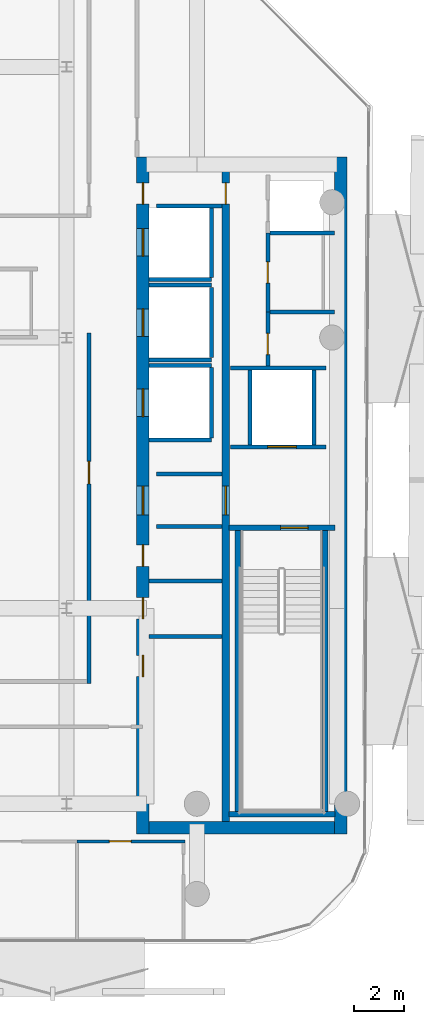
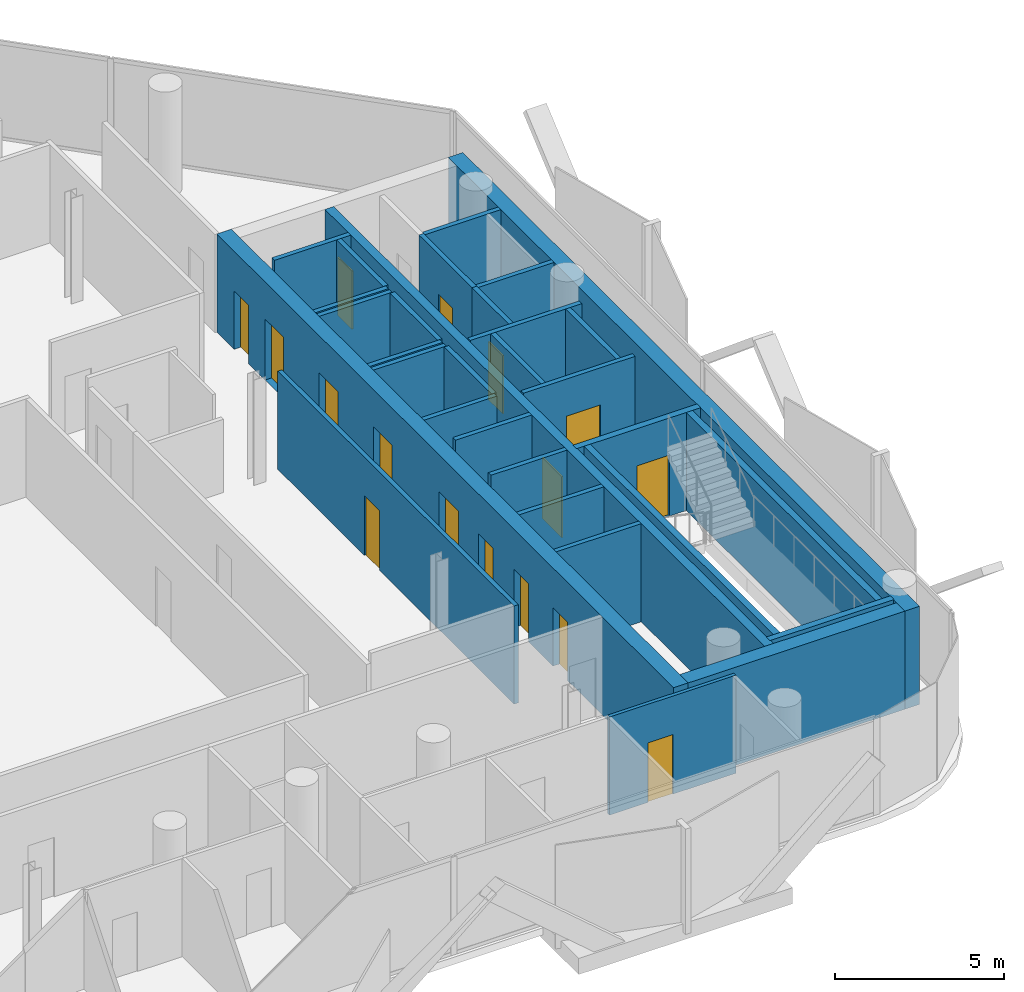
# One storey, part 6 of 17: 31 walls, 16 doors, 16 openings.
"""IFC4 building model written with IfcOpenShell, lengths in metres."""

import ifcopenshell
import ifcopenshell.guid

model = None  # the IFC model being written
_history = None  # IfcOwnerHistory: only IFC2X3 demands one
_inside = {}  # id of a spatial element -> (the spatial element, [elements in it])
_under = {}  # id of a project, library or spatial element -> (it, [spatial elements below it])
_declared = {}  # id of a project -> (the project, [libraries it declares])
_typed = {}  # id of a type object -> (the type object, [elements of that type])
_made_of = {}  # id of a material, layer set ... -> (it, [elements and type objects made of it])


def new_model(schema):
    """Start an empty IFC model of exactly this schema.

    Asked for "IFC4X3", IfcOpenShell would pick the latest addendum, in which some entities
    have other attributes; the version numbers below select the first issue.
    IFC2X3 requires an IfcOwnerHistory on every rooted entity: one is made here for all.
    """
    global model, _history
    if schema == "IFC4X3":
        model = ifcopenshell.file(schema_version=(4, 3, 0, 0))
    else:
        model = ifcopenshell.file(schema=schema)
    _inside.clear()
    _under.clear()
    _declared.clear()
    _typed.clear()
    _made_of.clear()
    _history = None
    if model.schema == "IFC2X3":
        org = make("IfcOrganization", Name="unknown")
        user = make(
            "IfcPersonAndOrganization",
            ThePerson=make("IfcPerson", FamilyName="unknown"),
            TheOrganization=org,
        )
        app = make(
            "IfcApplication",
            ApplicationDeveloper=org,
            Version="unknown",
            ApplicationFullName="unknown",
            ApplicationIdentifier="unknown",
        )
        _history = make(
            "IfcOwnerHistory",
            OwningUser=user,
            OwningApplication=app,
            ChangeAction="ADDED",
            CreationDate=0,
        )
    return model


def make(cls, **values):
    """One entity of the class cls with the attributes given. An attribute that is None is left unset."""
    return model.create_entity(
        cls, **{name: value for name, value in values.items() if value is not None}
    )


def rooted(cls, **values):
    """An entity with a GlobalId (a new one), such as an element, a storey or a relation."""
    return make(cls, GlobalId=ifcopenshell.guid.new(), OwnerHistory=_history, **values)


def si_unit(unit_type, name, prefix=None):
    """IfcSIUnit, for example si_unit("LENGTHUNIT", "METRE", prefix="MILLI")."""
    return make("IfcSIUnit", UnitType=unit_type, Prefix=prefix, Name=name)


def assignment(units):
    """IfcUnitAssignment: the units of a project."""
    return None if units is None else make("IfcUnitAssignment", Units=units)


def point(xyz):
    """IfcCartesianPoint."""
    return None if xyz is None else make("IfcCartesianPoint", Coordinates=xyz)


def direction(xyz):
    """IfcDirection."""
    return None if xyz is None else make("IfcDirection", DirectionRatios=xyz)


def frame(location, z_axis=None, x_axis=None):
    """IfcAxis2Placement3D, a coordinate frame: its origin and axes. An axis left out is left unset."""
    return make(
        "IfcAxis2Placement3D",
        Location=point(location),
        Axis=direction(z_axis),
        RefDirection=direction(x_axis),
    )


def frame_2d(location, x_axis=None):
    """IfcAxis2Placement2D, a coordinate frame in the plane: its origin and x axis."""
    return make(
        "IfcAxis2Placement2D", Location=point(location), RefDirection=direction(x_axis)
    )


def origin():
    """The frame at (0, 0, 0) with its axes left unset."""
    return frame((0.0, 0.0, 0.0))


def place(relative_to, where):
    """IfcLocalPlacement: puts the frame where relative to a parent placement (None: the world)."""
    return make(
        "IfcLocalPlacement", PlacementRelTo=relative_to, RelativePlacement=where
    )


def context(
    kind, dimensions, precision=None, world=None, true_north=None, identifier=None
):
    """IfcGeometricRepresentationContext, for example the 3D "Model" context."""
    return make(
        "IfcGeometricRepresentationContext",
        ContextIdentifier=identifier,
        ContextType=kind,
        CoordinateSpaceDimension=dimensions,
        Precision=precision,
        WorldCoordinateSystem=world,
        TrueNorth=true_north,
    )


def subcontext(parent, identifier, kind, view, scale=None):
    """IfcGeometricRepresentationSubContext, for example "Body" below "Model"."""
    return make(
        "IfcGeometricRepresentationSubContext",
        ContextIdentifier=identifier,
        ContextType=kind,
        ParentContext=parent,
        TargetScale=scale,
        TargetView=view,
    )


def project(units=None, contexts=None):
    """IfcProject with its units and contexts."""
    return rooted(
        "IfcProject",
        Name="project",
        RepresentationContexts=contexts,
        UnitsInContext=assignment(units),
    )


def spatial(cls, under=None, at=None, **own):
    """A site, building, storey or space (cls), placed at a placement, below another one or the project."""
    s = rooted(cls, ObjectPlacement=at, **own)
    if under is not None:
        _under.setdefault(under.id(), (under, []))[1].append(s)
    return s


def profile(cls, at=None, kind="AREA", **sizes):
    """A parametric profile (cls). Its sizes go by their IFC names, for example OverallWidth=200.0."""
    return make(cls, ProfileType=kind, Position=at, **sizes)


def rectangle(**sizes):
    """IfcRectangleProfileDef."""
    return profile("IfcRectangleProfileDef", **sizes)


def extrude(swept, where, along, depth):
    """IfcExtrudedAreaSolid: the profile swept, set in the frame where, extruded along a direction by depth."""
    return make(
        "IfcExtrudedAreaSolid",
        SweptArea=swept,
        Position=where,
        ExtrudedDirection=direction(along),
        Depth=depth,
    )


def shape(context_of_items, identifier, shape_type, items):
    """IfcShapeRepresentation: the items that make up one representation, for example the "Body"."""
    return make(
        "IfcShapeRepresentation",
        ContextOfItems=context_of_items,
        RepresentationIdentifier=identifier,
        RepresentationType=shape_type,
        Items=items,
    )


def material(Name=None, Category=None):
    """IfcMaterial."""
    return make("IfcMaterial", Name=Name, Category=Category)


def layer(
    of_material, thickness, ventilated=None, Name=None, Category=None, Priority=None
):
    """IfcMaterialLayer: one layer of a wall or slab, of a material (None: an air gap)."""
    return make(
        "IfcMaterialLayer",
        Material=of_material,
        LayerThickness=thickness,
        IsVentilated=ventilated,
        Name=Name,
        Category=Category,
        Priority=Priority,
    )


def layer_set(layers, Name=None):
    """IfcMaterialLayerSet."""
    return make("IfcMaterialLayerSet", MaterialLayers=layers, LayerSetName=Name)


def made_of(thing, what):
    """Note that an element or type object is made of a material, layer set ...; save() writes the relation."""
    if what is not None:
        _made_of.setdefault(what.id(), (what, []))[1].append(thing)
    return thing


def type_object(cls, material=None, **own):
    """A type object (cls), such as IfcWallType, which elements share."""
    return made_of(rooted(cls, **own), material)


def element(
    cls,
    number,
    at=None,
    inside=None,
    cuts=None,
    type_object=None,
    material=None,
    context=None,
    identifier="Body",
    shape_type=None,
    held_by="IfcProductDefinitionShape",
    body=None,
    shapes=None,
    **own,
):
    """One element of the class cls, such as IfcWall. Its Tag is "e" and its number.

    at: its placement. inside: the storey or other place that contains it. cuts: it is an
    opening in that element (IfcRelVoidsElement). A single representation is given by context,
    identifier, shape_type and body (its items); several are given by shapes. held_by: the class
    of the entity that holds the representations. save() writes the other relations.
    """
    e = rooted(cls, Tag="e%d" % number, ObjectPlacement=at, **own)
    if body is not None:
        shapes = [shape(context, identifier, shape_type, body)]
    if shapes is not None:
        e.Representation = make(held_by, Representations=shapes)
    if inside is not None:
        _inside.setdefault(inside.id(), (inside, []))[1].append(e)
    if cuts is not None:
        rooted(
            "IfcRelVoidsElement", RelatingBuildingElement=cuts, RelatedOpeningElement=e
        )
    if type_object is not None:
        _typed.setdefault(type_object.id(), (type_object, []))[1].append(e)
    return made_of(e, material)


def fill(opening, filler):
    """IfcRelFillsElement: the door or window that sits in an opening."""
    return rooted(
        "IfcRelFillsElement",
        RelatingOpeningElement=opening,
        RelatedBuildingElement=filler,
    )


def aggregate(whole, parts):
    """IfcRelAggregates: a whole, such as a stair, and the parts it consists of."""
    return rooted("IfcRelAggregates", RelatingObject=whole, RelatedObjects=parts)


def save(model, path):
    """Write the relations noted so far, then the file.

    IfcRelAggregates (storeys below a building ...), IfcRelContainedInSpatialStructure (elements
    in a storey), IfcRelDefinesByType, IfcRelAssociatesMaterial and IfcRelDeclares: one each for
    every whole, place, type object, material and project.
    """
    for whole, parts in _under.values():
        aggregate(whole, parts)
    for where, things in _inside.values():
        rooted(
            "IfcRelContainedInSpatialStructure",
            RelatedElements=things,
            RelatingStructure=where,
        )
    for kind, things in _typed.values():
        rooted("IfcRelDefinesByType", RelatedObjects=things, RelatingType=kind)
    for what, things in _made_of.values():
        rooted("IfcRelAssociatesMaterial", RelatedObjects=things, RelatingMaterial=what)
    for by, libraries in _declared.values():
        rooted("IfcRelDeclares", RelatingContext=by, RelatedDefinitions=libraries)
    model.write(path)


model = new_model("IFC4")

# Units and contexts
model_context = context("Model", 3, precision=1e-05, world=origin(), true_north=direction((0.0, 1.0)))
body_context = subcontext(model_context, "Body", "Model", "MODEL_VIEW")
ifc_project = project(units=[si_unit("LENGTHUNIT", "METRE"), si_unit("AREAUNIT", "SQUARE_METRE"), si_unit("VOLUMEUNIT", "CUBIC_METRE"), si_unit("PLANEANGLEUNIT", "RADIAN"), si_unit("MASSUNIT", "GRAM", prefix="KILO")], contexts=[model_context])

# Site, building, storey
site_placement = place(None, origin())
site = spatial("IfcSite", under=ifc_project, at=site_placement, CompositionType="ELEMENT")
building_placement = place(site_placement, origin())
building = spatial("IfcBuilding", under=site, at=building_placement, Name="Khairoan Windgate Tower", CompositionType="ELEMENT")
storey_placement = place(building_placement, frame((0.0, 0.0, 308.0)))
storey = spatial("IfcBuildingStorey", under=building, at=storey_placement, Name="L74", CompositionType="ELEMENT", Elevation=308.0)

# Walls
ifc_material_1 = material(Name="Concrete C40/50", Category="concrete")
ifc_layer_1 = layer(ifc_material_1, 0.159912109375, Name="Concrete C40/50")
ifc_layer_set_1 = layer_set([ifc_layer_1], Name="Concrete C40/50")
wall_type_1 = type_object("IfcWallType", Name="Core and Hoistway Enclosure Wall", PredefinedType="STANDARD", material=ifc_layer_set_1)
wall_1_placement = place(storey_placement, frame((12.5, 2.31005859375, 0.0), z_axis=(0.0, 0.0, 1.0), x_axis=(1.0, 0.0, 0.0)))
element("IfcWall", 1, at=wall_1_placement, inside=storey, type_object=wall_type_1, Name="L74 Lift PL7 Hoistway Divider S", PredefinedType="STANDARD", context=body_context, shape_type="SweptSolid", body=[
    extrude(rectangle(XDim=2.489990234375, YDim=0.159912109375, at=frame_2d((1.2451171875, 0.0))), origin(), (0.0, 0.0, 1.0), 3.5400390625),
])
wall_2_placement = place(storey_placement, frame((14.989990234375, 2.39990234375, 0.0), z_axis=(0.0, 0.0, 1.0), x_axis=(0.0, 1.0, 0.0)))
element("IfcWall", 2, at=wall_2_placement, inside=storey, type_object=wall_type_1, Name="L74 Lift PL7 Hoistway Back Wall", PredefinedType="STANDARD", context=body_context, shape_type="SweptSolid", body=[
    extrude(rectangle(XDim=2.800048828125, YDim=0.159912109375, at=frame_2d((1.39990234375, 0.0))), origin(), (0.0, 0.0, 1.0), 3.5400390625),
])
for number, where, z_axis, x_axis, name in (
    (3, (12.5, -0.889892578125, 0.0), (0.0, 0.0, 1.0), (1.0, 0.0, 0.0), "L74 Lift PL8 Hoistway Divider S"),
    (4, (12.5, 2.090087890625, 0.0), (0.0, 0.0, 1.0), (1.0, 0.0, 0.0), "L74 Lift PL8 Hoistway Divider N"),
):
    element("IfcWall", number, at=place(storey_placement, frame(where, z_axis=z_axis, x_axis=x_axis)), inside=storey, type_object=wall_type_1, Name=name, PredefinedType="STANDARD", context=body_context, shape_type="SweptSolid", body=[
        extrude(rectangle(XDim=2.489990234375, YDim=0.159912109375, at=frame_2d((1.2451171875, 0.0))), origin(), (0.0, 0.0, 1.0), 3.5400390625),
    ])
wall_3_placement = place(storey_placement, frame((14.989990234375, -0.800048828125, 0.0), z_axis=(0.0, 0.0, 1.0), x_axis=(0.0, 1.0, 0.0)))
element("IfcWall", 5, at=wall_3_placement, inside=storey, type_object=wall_type_1, Name="L74 Lift PL8 Hoistway Back Wall", PredefinedType="STANDARD", context=body_context, shape_type="SweptSolid", body=[
    extrude(rectangle(XDim=2.800048828125, YDim=0.159912109375, at=frame_2d((1.39990234375, 0.0))), origin(), (0.0, 0.0, 1.0), 3.5400390625),
])
for number, where, z_axis, x_axis, name in (
    (6, (12.5, -4.090087890625, 0.0), (0.0, 0.0, 1.0), (1.0, 0.0, 0.0), "L74 Lift PL9 Hoistway Divider S"),
    (7, (12.5, -1.110107421875, 0.0), (0.0, 0.0, 1.0), (1.0, 0.0, 0.0), "L74 Lift PL9 Hoistway Divider N"),
):
    element("IfcWall", number, at=place(storey_placement, frame(where, z_axis=z_axis, x_axis=x_axis)), inside=storey, type_object=wall_type_1, Name=name, PredefinedType="STANDARD", context=body_context, shape_type="SweptSolid", body=[
        extrude(rectangle(XDim=2.489990234375, YDim=0.159912109375, at=frame_2d((1.2451171875, 0.0))), origin(), (0.0, 0.0, 1.0), 3.5400390625),
    ])
wall_4_placement = place(storey_placement, frame((14.989990234375, -4.0, 0.0), z_axis=(0.0, 0.0, 1.0), x_axis=(0.0, 1.0, 0.0)))
element("IfcWall", 8, at=wall_4_placement, inside=storey, type_object=wall_type_1, Name="L74 Lift PL9 Hoistway Back Wall", PredefinedType="STANDARD", context=body_context, shape_type="SweptSolid", body=[
    extrude(rectangle(XDim=2.800048828125, YDim=0.159912109375, at=frame_2d((1.39990234375, 0.0))), origin(), (0.0, 0.0, 1.0), 3.5400390625),
])

# Wall, opening, door
wall_5_placement = place(storey_placement, frame((15.75, -4.360107421875, 0.0), z_axis=(0.0, 0.0, 1.0), x_axis=(1.0, 0.0, 0.0)))
wall_5 = element("IfcWall", 9, at=wall_5_placement, inside=storey, type_object=wall_type_1, Name="L74 Core Shaft Wall SW-FL1-L74", PredefinedType="STANDARD", context=body_context, shape_type="SweptSolid", body=[
    extrude(rectangle(XDim=3.800048828125, YDim=0.159912109375, at=frame_2d((1.89990234375, 0.0))), origin(), (0.0, 0.0, 1.0), 3.5400390625),
])
opening_1_placement = place(wall_5_placement, frame((1.469970703125, 0.0, 0.0)))
opening_1 = element("IfcOpeningElement", 10, at=opening_1_placement, cuts=wall_5, Name="Opening LD-FL", PredefinedType="OPENING", context=body_context, shape_type="SweptSolid", body=[
    extrude(rectangle(XDim=1.14990234375, YDim=2.199951171875, at=frame_2d((0.574951171875, 1.10009765625))), frame((0.0, 0.08984375, 0.0), z_axis=(0.0, -1.0, 0.0), x_axis=(1.0, 0.0, 0.0)), (0.0, 0.0, 1.0), 0.179931640625),
])
ifc_material_2 = material(Name="Steel S355", Category="steel")
door_type_1 = type_object("IfcDoorType", Name="Firefighting Lift Sliding Landing Door LD-FL 1150x2200", OperationType="DOUBLE_DOOR_SLIDING", PredefinedType="DOOR", material=ifc_material_2)
door_1_placement = place(opening_1_placement, origin())
door_1 = element("IfcDoor", 11, at=door_1_placement, inside=storey, type_object=door_type_1, Name="L74 Firefighting Lift FL1 Landing Door", OperationType="DOUBLE_DOOR_SLIDING", OverallHeight=2.199951171875, OverallWidth=1.14990234375, PredefinedType="DOOR", context=body_context, shape_type="SweptSolid", body=[
    extrude(rectangle(XDim=1.14990234375, YDim=2.199951171875, at=frame_2d((0.574951171875, 1.10009765625))), frame((0.0, 0.02490234375, 0.0), z_axis=(0.0, -1.0, 0.0), x_axis=(1.0, 0.0, 0.0)), (0.0, 0.0, 1.0), 0.050048828125),
])
fill(opening_1, door_1)

# Walls
wall_6_placement = place(storey_placement, frame((15.75, -1.219970703125, 0.0), z_axis=(0.0, 0.0, 1.0), x_axis=(1.0, 0.0, 0.0)))
element("IfcWall", 12, at=wall_6_placement, inside=storey, type_object=wall_type_1, Name="L74 Core Shaft Wall SW-FL1T-L74", PredefinedType="STANDARD", context=body_context, shape_type="SweptSolid", body=[
    extrude(rectangle(XDim=3.800048828125, YDim=0.159912109375, at=frame_2d((1.89990234375, 0.0))), origin(), (0.0, 0.0, 1.0), 3.5400390625),
])
for number, where, z_axis, x_axis, name in (
    (13, (16.52001953125, -4.280029296875, 0.0), (0.0, 0.0, 1.0), (0.0, 1.0, 0.0), "L74 Core Shaft Wall SW-FL1W-L74"),
    (14, (19.080078125, -4.280029296875, 0.0), (0.0, 0.0, 1.0), (0.0, 1.0, 0.0), "L74 Core Shaft Wall SW-FL1E-L74"),
):
    element("IfcWall", number, at=place(storey_placement, frame(where, z_axis=z_axis, x_axis=x_axis)), inside=storey, type_object=wall_type_1, Name=name, PredefinedType="STANDARD", context=body_context, shape_type="SweptSolid", body=[
        extrude(rectangle(XDim=2.97998046875, YDim=0.159912109375, at=frame_2d((1.489990234375, 0.0))), origin(), (0.0, 0.0, 1.0), 3.5400390625),
    ])
for number, where, z_axis, x_axis, name in (
    (15, (12.800048828125, -5.449951171875, 0.0), (0.0, 0.0, 1.0), (1.0, 0.0, 0.0), "L74 Core Shaft Wall SW-EV1-L74"),
    (16, (12.800048828125, -7.5400390625, 0.0), (0.0, 0.0, 1.0), (1.0, 0.0, 0.0), "L74 Core Shaft Wall SW-EV2-L74"),
    (17, (12.800048828125, 5.25, 0.0), (0.0, 0.0, 1.0), (1.0, 0.0, 0.0), "L74 Core Shaft Wall SW-ESV-L74"),
):
    element("IfcWall", number, at=place(storey_placement, frame(where, z_axis=z_axis, x_axis=x_axis)), inside=storey, type_object=wall_type_1, Name=name, PredefinedType="STANDARD", context=body_context, shape_type="SweptSolid", body=[
        extrude(rectangle(XDim=2.599853515625, YDim=0.159912109375, at=frame_2d((1.2998046875, 0.0))), origin(), (0.0, 0.0, 1.0), 3.5400390625),
    ])

# Wall, opening, door
ifc_material_3 = material(Name="Gypsum Stud Partition", Category="gypsum")
ifc_layer_2 = layer(ifc_material_3, 0.1201171875, Name="Gypsum Stud Partition")
ifc_layer_set_2 = layer_set([ifc_layer_2], Name="Gypsum Stud Partition")
wall_type_2 = type_object("IfcWallType", Name="Internal Room Partition Wall", PredefinedType="PARTITIONING", material=ifc_layer_set_2)
wall_7_placement = place(storey_placement, frame((9.610107421875, -20.10009765625, 0.0), z_axis=(0.0, 0.0, 1.0), x_axis=(1.0, 0.0, 0.0)))
wall_7 = element("IfcWall", 18, at=wall_7_placement, inside=storey, type_object=wall_type_2, Name="L74 Interior Partition 080", PredefinedType="PARTITIONING", context=body_context, shape_type="SweptSolid", body=[
    extrude(rectangle(XDim=4.309814453125, YDim=0.1201171875, at=frame_2d((2.15478515625, 0.0))), origin(), (0.0, 0.0, 1.0), 3.5400390625),
])
opening_2_placement = place(wall_7_placement, frame((1.30322265625, 0.0, 0.0)))
opening_2 = element("IfcOpeningElement", 19, at=opening_2_placement, cuts=wall_7, Name="Opening ID-RM", PredefinedType="OPENING", context=body_context, shape_type="SweptSolid", body=[
    extrude(rectangle(XDim=0.860107421875, YDim=2.14990234375, at=frame_2d((0.43017578125, 1.074951171875))), frame((0.0, 0.070068359375, 0.0), z_axis=(0.0, -1.0, 0.0), x_axis=(1.0, 0.0, 0.0)), (0.0, 0.0, 1.0), 0.14013671875),
])
ifc_material_4 = material(Name="Teak Veneer Timber Leaf", Category="wood")
door_type_2 = type_object("IfcDoorType", Name="Internal Bedroom and Office Door ID-RM 860x2150", OperationType="NOTDEFINED", PredefinedType="DOOR", material=ifc_material_4)
door_2_placement = place(opening_2_placement, origin())
door_2 = element("IfcDoor", 20, at=door_2_placement, inside=storey, type_object=door_type_2, Name="L74 L74-56-L74-60 Door", OperationType="SINGLE_SWING_LEFT", OverallHeight=2.14990234375, OverallWidth=0.860107421875, PredefinedType="DOOR", context=body_context, shape_type="SweptSolid", body=[
    extrude(rectangle(XDim=0.860107421875, YDim=2.14990234375, at=frame_2d((0.43017578125, 1.074951171875))), frame((0.0, 0.02490234375, 0.0), z_axis=(0.0, -1.0, 0.0), x_axis=(1.0, 0.0, 0.0)), (0.0, 0.0, 1.0), 0.050048828125),
])
fill(opening_2, door_2)

ifc_material_5 = material(Name="Concrete C40/50", Category="concrete")
ifc_layer_3 = layer(ifc_material_5, 0.159912109375, Name="Concrete C40/50")
ifc_layer_set_3 = layer_set([ifc_layer_3], Name="Concrete C40/50")
wall_type_3 = type_object("IfcWallType", Name="Plant and Refuge Compartment Wall", PredefinedType="PARTITIONING", material=ifc_layer_set_3)
wall_8_placement = place(storey_placement, frame((17.22998046875, -1.139892578125, 0.0), z_axis=(0.0, 0.0, 1.0), x_axis=(0.0, 1.0, 0.0)))
wall_8 = element("IfcWall", 21, at=wall_8_placement, inside=storey, type_object=wall_type_3, Name="L74 Interior Partition 009", PredefinedType="PARTITIONING", context=body_context, shape_type="SweptSolid", body=[
    extrude(rectangle(XDim=2.169921875, YDim=0.159912109375, at=frame_2d((1.0849609375, 0.0))), origin(), (0.0, 0.0, 1.0), 3.5400390625),
])
opening_3_placement = place(wall_8_placement, frame((0.4599609375, 0.0, 0.0)))
opening_3 = element("IfcOpeningElement", 22, at=opening_3_placement, cuts=wall_8, Name="Opening FD-SRV", PredefinedType="OPENING", context=body_context, shape_type="SweptSolid", body=[
    extrude(rectangle(XDim=0.85009765625, YDim=2.10009765625, at=frame_2d((0.425048828125, 1.050048828125))), frame((0.0, 0.08984375, 0.0), z_axis=(0.0, -1.0, 0.0), x_axis=(1.0, 0.0, 0.0)), (0.0, 0.0, 1.0), 0.179931640625),
])
ifc_material_6 = material(Name="Steel S355", Category="steel")
door_type_3 = type_object("IfcDoorType", Name="Core Service and Riser Fire Door FD-SRV 850x2100", OperationType="NOTDEFINED", PredefinedType="DOOR", material=ifc_material_6)
door_3_placement = place(opening_3_placement, origin())
door_3 = element("IfcDoor", 23, at=door_3_placement, inside=storey, type_object=door_type_3, Name="L74 L74-17-L74-19 Door", OperationType="SINGLE_SWING_LEFT", OverallHeight=2.10009765625, OverallWidth=0.85009765625, PredefinedType="DOOR", context=body_context, shape_type="SweptSolid", body=[
    extrude(rectangle(XDim=0.85009765625, YDim=2.10009765625, at=frame_2d((0.425048828125, 1.050048828125))), frame((0.0, 0.02490234375, 0.0), z_axis=(0.0, -1.0, 0.0), x_axis=(1.0, 0.0, 0.0)), (0.0, 0.0, 1.0), 0.050048828125),
])
fill(opening_3, door_3)

wall_9_placement = place(storey_placement, frame((17.22998046875, 1.030029296875, 0.0), z_axis=(0.0, 0.0, 1.0), x_axis=(0.0, 1.0, 0.0)))
wall_9 = element("IfcWall", 24, at=wall_9_placement, inside=storey, type_object=wall_type_3, Name="L74 Interior Partition 010", PredefinedType="PARTITIONING", context=body_context, shape_type="SweptSolid", body=[
    extrude(rectangle(XDim=3.139892578125, YDim=0.159912109375, at=frame_2d((1.56982421875, 0.0))), origin(), (0.0, 0.0, 1.0), 3.5400390625),
])
opening_4_placement = place(wall_9_placement, frame((1.14501953125, 0.0, 0.0)))
opening_4 = element("IfcOpeningElement", 25, at=opening_4_placement, cuts=wall_9, Name="Opening FD-SRV", PredefinedType="OPENING", context=body_context, shape_type="SweptSolid", body=[
    extrude(rectangle(XDim=0.85009765625, YDim=2.10009765625, at=frame_2d((0.425048828125, 1.050048828125))), frame((0.0, 0.08984375, 0.0), z_axis=(0.0, -1.0, 0.0), x_axis=(1.0, 0.0, 0.0)), (0.0, 0.0, 1.0), 0.179931640625),
])
door_4_placement = place(opening_4_placement, origin())
door_4 = element("IfcDoor", 26, at=door_4_placement, inside=storey, type_object=door_type_3, Name="L74 L74-17-L74-20 Door", OperationType="SINGLE_SWING_RIGHT", OverallHeight=2.10009765625, OverallWidth=0.85009765625, PredefinedType="DOOR", context=body_context, shape_type="SweptSolid", body=[
    extrude(rectangle(XDim=0.85009765625, YDim=2.10009765625, at=frame_2d((0.425048828125, 1.050048828125))), frame((0.0, 0.02490234375, 0.0), z_axis=(0.0, -1.0, 0.0), x_axis=(1.0, 0.0, 0.0)), (0.0, 0.0, 1.0), 0.050048828125),
])
fill(opening_4, door_4)

# Walls
for number, where, z_axis, x_axis, name in (
    (27, (17.31005859375, 4.169921875, 0.0), (0.0, 0.0, 1.0), (1.0, 0.0, 0.0), "L74 Interior Partition 011"),
    (28, (17.31005859375, 1.030029296875, 0.0), (0.0, 0.0, 1.0), (1.0, 0.0, 0.0), "L74 Interior Partition 012"),
):
    element("IfcWall", number, at=place(storey_placement, frame(where, z_axis=z_axis, x_axis=x_axis)), inside=storey, type_object=wall_type_3, Name=name, PredefinedType="PARTITIONING", context=body_context, shape_type="SweptSolid", body=[
        extrude(rectangle(XDim=2.58984375, YDim=0.159912109375, at=frame_2d((1.294921875, 0.0))), origin(), (0.0, 0.0, 1.0), 3.5400390625),
    ])
for number, where, z_axis, x_axis, name in (
    (29, (12.5, -11.919921875, 0.0), (0.0, 0.0, 1.0), (1.0, 0.0, 0.0), "L74 Interior Partition 013"),
    (30, (12.5, -9.719970703125, 0.0), (0.0, 0.0, 1.0), (1.0, 0.0, 0.0), "L74 Interior Partition 014"),
):
    element("IfcWall", number, at=place(storey_placement, frame(where, z_axis=z_axis, x_axis=x_axis)), inside=storey, type_object=wall_type_3, Name=name, PredefinedType="PARTITIONING", context=body_context, shape_type="SweptSolid", body=[
        extrude(rectangle(XDim=2.89990234375, YDim=0.159912109375, at=frame_2d((1.449951171875, 0.0))), origin(), (0.0, 0.0, 1.0), 3.5400390625),
    ])

# Wall, opening, door
ifc_material_7 = material(Name="Acoustic Fire-Rated Gypsum Partition", Category="gypsum")
ifc_layer_4 = layer(ifc_material_7, 0.14990234375, Name="Acoustic Fire-Rated Gypsum Partition")
ifc_layer_set_4 = layer_set([ifc_layer_4], Name="Acoustic Fire-Rated Gypsum Partition")
wall_type_4 = type_object("IfcWallType", Name="Rated Corridor Partition Wall", PredefinedType="PARTITIONING", material=ifc_layer_set_4)
wall_10_placement = place(storey_placement, frame((10.10009765625, -13.794921875, 0.0), z_axis=(0.0, 0.0, 1.0), x_axis=(0.0, 1.0, 0.0)))
wall_10 = element("IfcWall", 31, at=wall_10_placement, inside=storey, type_object=wall_type_4, Name="L74 Interior Partition 019", PredefinedType="PARTITIONING", context=body_context, shape_type="SweptSolid", body=[
    extrude(rectangle(XDim=13.974853515625, YDim=0.14990234375, at=frame_2d((6.9873046875, 0.0))), origin(), (0.0, 0.0, 1.0), 3.5400390625),
])
opening_5_placement = place(wall_10_placement, frame((7.95556640625, 0.0, 0.0)))
opening_5 = element("IfcOpeningElement", 32, at=opening_5_placement, cuts=wall_10, Name="Opening FD-ENT", PredefinedType="OPENING", context=body_context, shape_type="SweptSolid", body=[
    extrude(rectangle(XDim=0.89990234375, YDim=2.14990234375, at=frame_2d((0.449951171875, 1.074951171875))), frame((0.0, 0.0849609375, 0.0), z_axis=(0.0, -1.0, 0.0), x_axis=(1.0, 0.0, 0.0)), (0.0, 0.0, 1.0), 0.169921875),
])
ifc_material_8 = material(Name="Timber Fire-Rated Core", Category="wood")
door_type_4 = type_object("IfcDoorType", Name="Unit and Office Fire Entrance Door FD-ENT 900x2150", OperationType="NOTDEFINED", PredefinedType="DOOR", material=ifc_material_8)
door_5_placement = place(opening_5_placement, origin())
door_5 = element("IfcDoor", 33, at=door_5_placement, inside=storey, type_object=door_type_4, Name="L74 L74-30-L74-66 Door", OperationType="SINGLE_SWING_LEFT", OverallHeight=2.14990234375, OverallWidth=0.89990234375, PredefinedType="DOOR", context=body_context, shape_type="SweptSolid", body=[
    extrude(rectangle(XDim=0.89990234375, YDim=2.14990234375, at=frame_2d((0.449951171875, 1.074951171875))), frame((0.0, 0.02490234375, 0.0), z_axis=(0.0, -1.0, 0.0), x_axis=(1.0, 0.0, 0.0)), (0.0, 0.0, 1.0), 0.050048828125),
])
fill(opening_5, door_5)

# Wall, openings, doors
ifc_material_9 = material(Name="Concrete C50/60", Category="concrete")
ifc_layer_5 = layer(ifc_material_9, 0.5, Name="Concrete C50/60")
ifc_layer_set_5 = layer_set([ifc_layer_5], Name="Concrete C50/60")
wall_type_5 = type_object("IfcWallType", Name="Shear Wall CW-E3 500mm", PredefinedType="SHEAR", material=ifc_layer_set_5)
wall_11_placement = place(storey_placement, frame((12.25, -19.800048828125, 0.0), z_axis=(0.0, 0.0, 1.0), x_axis=(0.0, 1.0, 0.0)))
wall_11 = element("IfcWall", 34, at=wall_11_placement, inside=storey, type_object=wall_type_5, Name="E Core West Shear Wall L74", PredefinedType="SHEAR", context=body_context, shape_type="SweptSolid", body=[
    extrude(rectangle(XDim=27.0, YDim=0.5, at=frame_2d((13.5, 0.0))), origin(), (0.0, 0.0, 1.0), 3.5400390625),
])
opening_6_placement = place(wall_11_placement, frame((23.050048828125, 0.0, 0.0)))
opening_6 = element("IfcOpeningElement", 35, at=opening_6_placement, cuts=wall_11, Name="Opening LD-PL", PredefinedType="OPENING", context=body_context, shape_type="SweptSolid", body=[
    extrude(rectangle(XDim=1.10009765625, YDim=2.199951171875, at=frame_2d((0.550048828125, 1.10009765625))), frame((0.0, 0.260009765625, 0.0), z_axis=(0.0, -1.0, 0.0), x_axis=(1.0, 0.0, 0.0)), (0.0, 0.0, 1.0), 0.52001953125),
])
opening_7_placement = place(wall_11_placement, frame((19.85009765625, 0.0, 0.0)))
opening_7 = element("IfcOpeningElement", 36, at=opening_7_placement, cuts=wall_11, Name="Opening LD-PL", PredefinedType="OPENING", context=body_context, shape_type="SweptSolid", body=[
    extrude(rectangle(XDim=1.10009765625, YDim=2.199951171875, at=frame_2d((0.550048828125, 1.10009765625))), frame((0.0, 0.260009765625, 0.0), z_axis=(0.0, -1.0, 0.0), x_axis=(1.0, 0.0, 0.0)), (0.0, 0.0, 1.0), 0.52001953125),
])
opening_8_placement = place(wall_11_placement, frame((16.64990234375, 0.0, 0.0)))
opening_8 = element("IfcOpeningElement", 37, at=opening_8_placement, cuts=wall_11, Name="Opening LD-PL", PredefinedType="OPENING", context=body_context, shape_type="SweptSolid", body=[
    extrude(rectangle(XDim=1.10009765625, YDim=2.199951171875, at=frame_2d((0.550048828125, 1.10009765625))), frame((0.0, 0.260009765625, 0.0), z_axis=(0.0, -1.0, 0.0), x_axis=(1.0, 0.0, 0.0)), (0.0, 0.0, 1.0), 0.52001953125),
])
opening_9_placement = place(wall_11_placement, frame((6.27490234375, 0.0, 0.0)))
opening_9 = element("IfcOpeningElement", 38, at=opening_9_placement, cuts=wall_11, Name="Opening FD-SRV", PredefinedType="OPENING", context=body_context, shape_type="SweptSolid", body=[
    extrude(rectangle(XDim=0.85009765625, YDim=2.10009765625, at=frame_2d((0.425048828125, 1.050048828125))), frame((0.0, 0.260009765625, 0.0), z_axis=(0.0, -1.0, 0.0), x_axis=(1.0, 0.0, 0.0)), (0.0, 0.0, 1.0), 0.52001953125),
])
opening_10_placement = place(wall_11_placement, frame((8.574951171875, 0.0, 0.0)))
opening_10 = element("IfcOpeningElement", 39, at=opening_10_placement, cuts=wall_11, Name="Opening FD-SRV", PredefinedType="OPENING", context=body_context, shape_type="SweptSolid", body=[
    extrude(rectangle(XDim=0.85009765625, YDim=2.10009765625, at=frame_2d((0.425048828125, 1.050048828125))), frame((0.0, 0.260009765625, 0.0), z_axis=(0.0, -1.0, 0.0), x_axis=(1.0, 0.0, 0.0)), (0.0, 0.0, 1.0), 0.52001953125),
])
opening_11_placement = place(wall_11_placement, frame((10.675048828125, 0.0, 0.0)))
opening_11 = element("IfcOpeningElement", 40, at=opening_11_placement, cuts=wall_11, Name="Opening FD-SRV", PredefinedType="OPENING", context=body_context, shape_type="SweptSolid", body=[
    extrude(rectangle(XDim=0.85009765625, YDim=2.10009765625, at=frame_2d((0.425048828125, 1.050048828125))), frame((0.0, 0.260009765625, 0.0), z_axis=(0.0, -1.0, 0.0), x_axis=(1.0, 0.0, 0.0)), (0.0, 0.0, 1.0), 0.52001953125),
])
opening_12_placement = place(wall_11_placement, frame((12.72509765625, 0.0, 0.0)))
opening_12 = element("IfcOpeningElement", 41, at=opening_12_placement, cuts=wall_11, Name="Opening FD-FFL", PredefinedType="OPENING", context=body_context, shape_type="SweptSolid", body=[
    extrude(rectangle(XDim=1.14990234375, YDim=2.199951171875, at=frame_2d((0.574951171875, 1.10009765625))), frame((0.0, 0.260009765625, 0.0), z_axis=(0.0, -1.0, 0.0), x_axis=(1.0, 0.0, 0.0)), (0.0, 0.0, 1.0), 0.52001953125),
])
opening_13_placement = place(wall_11_placement, frame((25.125, 0.0, 0.0)))
opening_13 = element("IfcOpeningElement", 42, at=opening_13_placement, cuts=wall_11, Name="Opening FD-SRV", PredefinedType="OPENING", context=body_context, shape_type="SweptSolid", body=[
    extrude(rectangle(XDim=0.85009765625, YDim=2.10009765625, at=frame_2d((0.425048828125, 1.050048828125))), frame((0.0, 0.260009765625, 0.0), z_axis=(0.0, -1.0, 0.0), x_axis=(1.0, 0.0, 0.0)), (0.0, 0.0, 1.0), 0.52001953125),
])
door_6_placement = place(opening_9_placement, origin())
door_6 = element("IfcDoor", 43, at=door_6_placement, inside=storey, type_object=door_type_3, Name="L74 East Core Service Room Door 1", OperationType="SINGLE_SWING_RIGHT", OverallHeight=2.10009765625, OverallWidth=0.85009765625, PredefinedType="DOOR", context=body_context, shape_type="SweptSolid", body=[
    extrude(rectangle(XDim=0.85009765625, YDim=2.10009765625, at=frame_2d((0.425048828125, 1.050048828125))), frame((0.0, 0.02490234375, 0.0), z_axis=(0.0, -1.0, 0.0), x_axis=(1.0, 0.0, 0.0)), (0.0, 0.0, 1.0), 0.050048828125),
])
fill(opening_9, door_6)
door_7_placement = place(opening_10_placement, origin())
door_7 = element("IfcDoor", 44, at=door_7_placement, inside=storey, type_object=door_type_3, Name="L74 East Core Service Room Door 2", OperationType="SINGLE_SWING_LEFT", OverallHeight=2.10009765625, OverallWidth=0.85009765625, PredefinedType="DOOR", context=body_context, shape_type="SweptSolid", body=[
    extrude(rectangle(XDim=0.85009765625, YDim=2.10009765625, at=frame_2d((0.425048828125, 1.050048828125))), frame((0.0, 0.02490234375, 0.0), z_axis=(0.0, -1.0, 0.0), x_axis=(1.0, 0.0, 0.0)), (0.0, 0.0, 1.0), 0.050048828125),
])
fill(opening_10, door_7)
door_8_placement = place(opening_11_placement, origin())
door_8 = element("IfcDoor", 45, at=door_8_placement, inside=storey, type_object=door_type_3, Name="L74 East Core Service Room Door 3", OperationType="SINGLE_SWING_RIGHT", OverallHeight=2.10009765625, OverallWidth=0.85009765625, PredefinedType="DOOR", context=body_context, shape_type="SweptSolid", body=[
    extrude(rectangle(XDim=0.85009765625, YDim=2.10009765625, at=frame_2d((0.425048828125, 1.050048828125))), frame((0.0, 0.02490234375, 0.0), z_axis=(0.0, -1.0, 0.0), x_axis=(1.0, 0.0, 0.0)), (0.0, 0.0, 1.0), 0.050048828125),
])
fill(opening_11, door_8)
door_9_placement = place(opening_13_placement, origin())
door_9 = element("IfcDoor", 46, at=door_9_placement, inside=storey, type_object=door_type_3, Name="L74 East Core Service Vestibule Outer Door", OperationType="SINGLE_SWING_LEFT", OverallHeight=2.10009765625, OverallWidth=0.85009765625, PredefinedType="DOOR", context=body_context, shape_type="SweptSolid", body=[
    extrude(rectangle(XDim=0.85009765625, YDim=2.10009765625, at=frame_2d((0.425048828125, 1.050048828125))), frame((0.0, 0.02490234375, 0.0), z_axis=(0.0, -1.0, 0.0), x_axis=(1.0, 0.0, 0.0)), (0.0, 0.0, 1.0), 0.050048828125),
])
fill(opening_13, door_9)
ifc_material_10 = material(Name="Steel S355", Category="steel")
door_type_5 = type_object("IfcDoorType", Name="Firefighting Lobby Fire Door FD-FFL 1150x2200", OperationType="NOTDEFINED", PredefinedType="DOOR", material=ifc_material_10)
door_10_placement = place(opening_12_placement, origin())
door_10 = element("IfcDoor", 47, at=door_10_placement, inside=storey, type_object=door_type_5, Name="L74 East Core Vestibule Entry Door", OperationType="SINGLE_SWING_LEFT", OverallHeight=2.199951171875, OverallWidth=1.14990234375, PredefinedType="DOOR", context=body_context, shape_type="SweptSolid", body=[
    extrude(rectangle(XDim=1.14990234375, YDim=2.199951171875, at=frame_2d((0.574951171875, 1.10009765625))), frame((0.0, 0.02490234375, 0.0), z_axis=(0.0, -1.0, 0.0), x_axis=(1.0, 0.0, 0.0)), (0.0, 0.0, 1.0), 0.050048828125),
])
fill(opening_12, door_10)
ifc_material_11 = material(Name="Anodised Bronze Aluminium 6063-T6", Category="aluminium")
door_type_6 = type_object("IfcDoorType", Name="Passenger Lift Sliding Landing Door LD-PL 1100x2200", OperationType="DOUBLE_DOOR_SLIDING", PredefinedType="DOOR", material=ifc_material_11)
door_11_placement = place(opening_6_placement, origin())
door_11 = element("IfcDoor", 48, at=door_11_placement, inside=storey, type_object=door_type_6, Name="L74 Lift PL7 Sliding Landing Door", OperationType="DOUBLE_DOOR_SLIDING", OverallHeight=2.199951171875, OverallWidth=1.10009765625, PredefinedType="DOOR", context=body_context, shape_type="SweptSolid", body=[
    extrude(rectangle(XDim=1.10009765625, YDim=2.199951171875, at=frame_2d((0.550048828125, 1.10009765625))), frame((0.0, 0.02490234375, 0.0), z_axis=(0.0, -1.0, 0.0), x_axis=(1.0, 0.0, 0.0)), (0.0, 0.0, 1.0), 0.050048828125),
])
fill(opening_6, door_11)
door_12_placement = place(opening_7_placement, origin())
door_12 = element("IfcDoor", 49, at=door_12_placement, inside=storey, type_object=door_type_6, Name="L74 Lift PL8 Sliding Landing Door", OperationType="DOUBLE_DOOR_SLIDING", OverallHeight=2.199951171875, OverallWidth=1.10009765625, PredefinedType="DOOR", context=body_context, shape_type="SweptSolid", body=[
    extrude(rectangle(XDim=1.10009765625, YDim=2.199951171875, at=frame_2d((0.550048828125, 1.10009765625))), frame((0.0, 0.02490234375, 0.0), z_axis=(0.0, -1.0, 0.0), x_axis=(1.0, 0.0, 0.0)), (0.0, 0.0, 1.0), 0.050048828125),
])
fill(opening_7, door_12)
door_13_placement = place(opening_8_placement, origin())
door_13 = element("IfcDoor", 50, at=door_13_placement, inside=storey, type_object=door_type_6, Name="L74 Lift PL9 Sliding Landing Door", OperationType="DOUBLE_DOOR_SLIDING", OverallHeight=2.199951171875, OverallWidth=1.10009765625, PredefinedType="DOOR", context=body_context, shape_type="SweptSolid", body=[
    extrude(rectangle(XDim=1.10009765625, YDim=2.199951171875, at=frame_2d((0.550048828125, 1.10009765625))), frame((0.0, 0.02490234375, 0.0), z_axis=(0.0, -1.0, 0.0), x_axis=(1.0, 0.0, 0.0)), (0.0, 0.0, 1.0), 0.050048828125),
])
fill(opening_8, door_13)

# Walls
wall_12_placement = place(storey_placement, frame((20.14990234375, -19.800048828125, 0.0), z_axis=(0.0, 0.0, 1.0), x_axis=(0.0, 1.0, 0.0)))
element("IfcWall", 51, at=wall_12_placement, inside=storey, type_object=wall_type_5, Name="E Core East Shear Wall L74", PredefinedType="SHEAR", context=body_context, shape_type="SweptSolid", body=[
    extrude(rectangle(XDim=27.0, YDim=0.5, at=frame_2d((13.5, 0.0))), origin(), (0.0, 0.0, 1.0), 3.5400390625),
])
wall_13_placement = place(storey_placement, frame((12.5, -19.550048828125, 0.0), z_axis=(0.0, 0.0, 1.0), x_axis=(1.0, 0.0, 0.0)))
element("IfcWall", 52, at=wall_13_placement, inside=storey, type_object=wall_type_5, Name="E Core South Shear Wall L74", PredefinedType="SHEAR", context=body_context, shape_type="SweptSolid", body=[
    extrude(rectangle(XDim=7.39990234375, YDim=0.5, at=frame_2d((3.699951171875, 0.0))), origin(), (0.0, 0.0, 1.0), 3.5400390625),
])

# Wall, openings, doors
ifc_material_12 = material(Name="Concrete C50/60", Category="concrete")
ifc_layer_6 = layer(ifc_material_12, 0.300048828125, Name="Concrete C50/60")
ifc_layer_set_6 = layer_set([ifc_layer_6], Name="Concrete C50/60")
wall_type_6 = type_object("IfcWallType", Name="Shear Wall SW-2 300mm", PredefinedType="SHEAR", material=ifc_layer_set_6)
wall_14_placement = place(storey_placement, frame((15.550048828125, -19.300048828125, 0.0), z_axis=(0.0, 0.0, 1.0), x_axis=(0.0, 1.0, 0.0)))
wall_14 = element("IfcWall", 53, at=wall_14_placement, inside=storey, type_object=wall_type_6, Name="E Core Spine Shear Wall L74", PredefinedType="SHEAR", context=body_context, shape_type="SweptSolid", body=[
    extrude(rectangle(XDim=26.0, YDim=0.300048828125, at=frame_2d((13.0, 0.0))), origin(), (0.0, 0.0, 1.0), 3.5400390625),
])
opening_14_placement = place(wall_14_placement, frame((12.22509765625, 0.0, 0.0)))
opening_14 = element("IfcOpeningElement", 54, at=opening_14_placement, cuts=wall_14, Name="Opening FD-FFL", PredefinedType="OPENING", context=body_context, shape_type="SweptSolid", body=[
    extrude(rectangle(XDim=1.14990234375, YDim=2.199951171875, at=frame_2d((0.574951171875, 1.10009765625))), frame((0.0, 0.159912109375, 0.0), z_axis=(0.0, -1.0, 0.0), x_axis=(1.0, 0.0, 0.0)), (0.0, 0.0, 1.0), 0.320068359375),
])
opening_15_placement = place(wall_14_placement, frame((24.625, 0.0, 0.0)))
opening_15 = element("IfcOpeningElement", 55, at=opening_15_placement, cuts=wall_14, Name="Opening FD-SRV", PredefinedType="OPENING", context=body_context, shape_type="SweptSolid", body=[
    extrude(rectangle(XDim=0.85009765625, YDim=2.10009765625, at=frame_2d((0.425048828125, 1.050048828125))), frame((0.0, 0.159912109375, 0.0), z_axis=(0.0, -1.0, 0.0), x_axis=(1.0, 0.0, 0.0)), (0.0, 0.0, 1.0), 0.320068359375),
])
door_14_placement = place(opening_15_placement, origin())
door_14 = element("IfcDoor", 56, at=door_14_placement, inside=storey, type_object=door_type_3, Name="L74 East Core Service Passage Inner Door", OperationType="SINGLE_SWING_RIGHT", OverallHeight=2.10009765625, OverallWidth=0.85009765625, PredefinedType="DOOR", context=body_context, shape_type="SweptSolid", body=[
    extrude(rectangle(XDim=0.85009765625, YDim=2.10009765625, at=frame_2d((0.425048828125, 1.050048828125))), frame((0.0, 0.02490234375, 0.0), z_axis=(0.0, -1.0, 0.0), x_axis=(1.0, 0.0, 0.0)), (0.0, 0.0, 1.0), 0.050048828125),
])
fill(opening_15, door_14)
door_15_placement = place(opening_14_placement, origin())
door_15 = element("IfcDoor", 57, at=door_15_placement, inside=storey, type_object=door_type_5, Name="L74 East Firefighting Lobby Fire Door", OperationType="SINGLE_SWING_RIGHT", OverallHeight=2.199951171875, OverallWidth=1.14990234375, PredefinedType="DOOR", context=body_context, shape_type="SweptSolid", body=[
    extrude(rectangle(XDim=1.14990234375, YDim=2.199951171875, at=frame_2d((0.574951171875, 1.10009765625))), frame((0.0, 0.02490234375, 0.0), z_axis=(0.0, -1.0, 0.0), x_axis=(1.0, 0.0, 0.0)), (0.0, 0.0, 1.0), 0.050048828125),
])
fill(opening_14, door_15)

# Walls
ifc_material_13 = material(Name="Concrete C50/60", Category="concrete")
ifc_layer_7 = layer(ifc_material_13, 0.219970703125, Name="Concrete C50/60")
ifc_layer_set_7 = layer_set([ifc_layer_7], Name="Concrete C50/60")
wall_type_7 = type_object("IfcWallType", Name="Shear Wall SW-ST 220mm", PredefinedType="SHEAR", material=ifc_layer_set_7)
for number, where, z_axis, x_axis, name in (
    (58, (16.0400390625, -19.010009765625, 0.0), (0.0, 0.0, 1.0), (0.0, 1.0, 0.0), "L74 Stair ST1 West Bearing Wall"),
    (59, (19.530029296875, -19.010009765625, 0.0), (0.0, 0.0, 1.0), (0.0, 1.0, 0.0), "L74 Stair ST1 East Bearing Wall"),
):
    element("IfcWall", number, at=place(storey_placement, frame(where, z_axis=z_axis, x_axis=x_axis)), inside=storey, type_object=wall_type_7, Name=name, PredefinedType="SHEAR", context=body_context, shape_type="SweptSolid", body=[
        extrude(rectangle(XDim=11.419921875, YDim=0.219970703125, at=frame_2d((5.7099609375, 0.0))), origin(), (0.0, 0.0, 1.0), 3.5400390625),
    ])
wall_15_placement = place(storey_placement, frame((15.679931640625, -19.010009765625, 0.0), z_axis=(0.0, 0.0, 1.0), x_axis=(1.0, 0.0, 0.0)))
element("IfcWall", 60, at=wall_15_placement, inside=storey, type_object=wall_type_7, Name="L74 Stair ST1 South Bearing Wall", PredefinedType="SHEAR", context=body_context, shape_type="SweptSolid", body=[
    extrude(rectangle(XDim=4.239990234375, YDim=0.219970703125, at=frame_2d((2.1201171875, 0.0))), origin(), (0.0, 0.0, 1.0), 3.5400390625),
])

# Wall, opening, door
wall_16_placement = place(storey_placement, frame((19.919921875, -7.590087890625, 0.0), z_axis=(0.0, 0.0, 1.0), x_axis=(-1.0, 0.0, 0.0)))
wall_16 = element("IfcWall", 61, at=wall_16_placement, inside=storey, type_object=wall_type_7, Name="L74 Stair ST1 North Bearing Wall", PredefinedType="SHEAR", context=body_context, shape_type="SweptSolid", body=[
    extrude(rectangle(XDim=4.239990234375, YDim=0.219970703125, at=frame_2d((2.1201171875, 0.0))), origin(), (0.0, 0.0, 1.0), 3.5400390625),
])
opening_16_placement = place(wall_16_placement, frame((1.080078125, 0.0, 0.0)))
opening_16 = element("IfcOpeningElement", 62, at=opening_16_placement, cuts=wall_16, Name="Opening FD-ST", PredefinedType="OPENING", context=body_context, shape_type="SweptSolid", body=[
    extrude(rectangle(XDim=1.10009765625, YDim=2.199951171875, at=frame_2d((0.550048828125, 1.10009765625))), frame((0.0, 0.119873046875, 0.0), z_axis=(0.0, -1.0, 0.0), x_axis=(1.0, 0.0, 0.0)), (0.0, 0.0, 1.0), 0.239990234375),
])
ifc_material_14 = material(Name="Steel S355", Category="steel")
door_type_7 = type_object("IfcDoorType", Name="Smokeproof Stair Fire Door FD-ST 1100x2200", OperationType="NOTDEFINED", PredefinedType="DOOR", material=ifc_material_14)
door_16_placement = place(opening_16_placement, origin())
door_16 = element("IfcDoor", 63, at=door_16_placement, inside=storey, type_object=door_type_7, Name="L74 Stair ST1 Fire Door", OperationType="SINGLE_SWING_RIGHT", OverallHeight=2.199951171875, OverallWidth=1.10009765625, PredefinedType="DOOR", context=body_context, shape_type="SweptSolid", body=[
    extrude(rectangle(XDim=1.10009765625, YDim=2.199951171875, at=frame_2d((0.550048828125, 1.10009765625))), frame((0.0, 0.02490234375, 0.0), z_axis=(0.0, -1.0, 0.0), x_axis=(1.0, 0.0, 0.0)), (0.0, 0.0, 1.0), 0.050048828125),
])
fill(opening_16, door_16)

save(model, "model.ifc")
